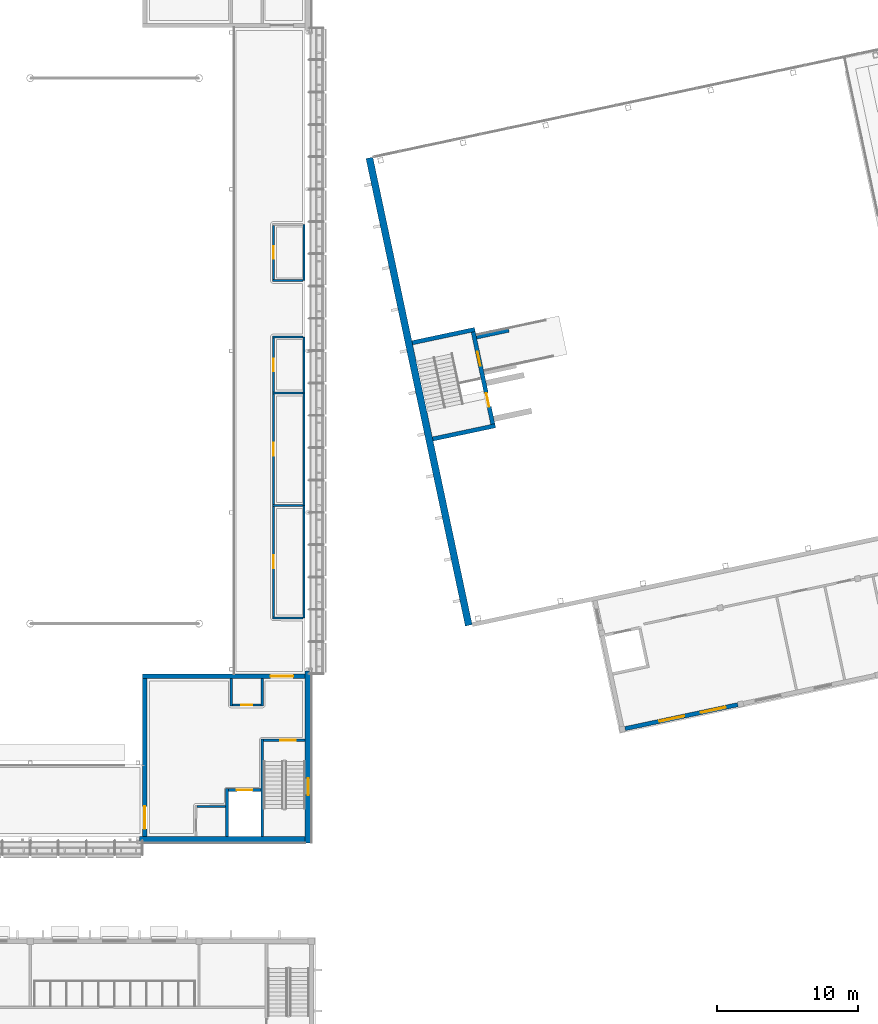
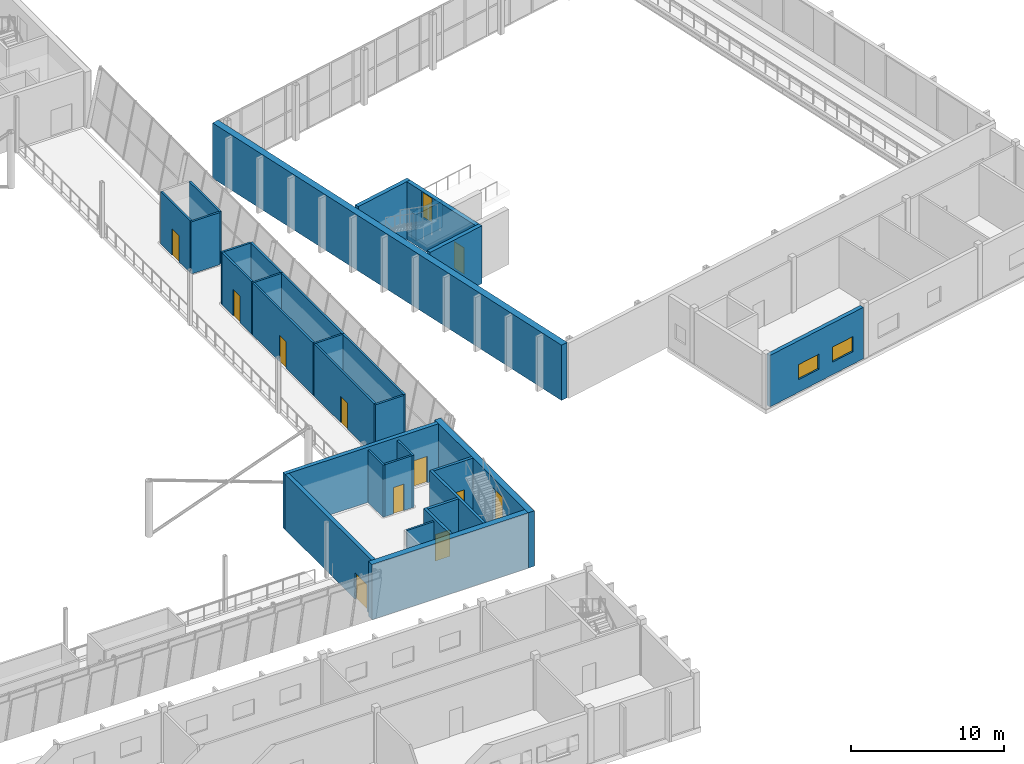
# One storey, part 75 of 115: 31 walls, 11 doors, 3 windows, 14 openings.
"""IFC4 building model written with IfcOpenShell, lengths in metres."""

import ifcopenshell
import ifcopenshell.guid

model = None  # the IFC model being written
_history = None  # IfcOwnerHistory: only IFC2X3 demands one
_inside = {}  # id of a spatial element -> (the spatial element, [elements in it])
_under = {}  # id of a project, library or spatial element -> (it, [spatial elements below it])
_declared = {}  # id of a project -> (the project, [libraries it declares])
_typed = {}  # id of a type object -> (the type object, [elements of that type])
_made_of = {}  # id of a material, layer set ... -> (it, [elements and type objects made of it])


def new_model(schema):
    """Start an empty IFC model of exactly this schema.

    Asked for "IFC4X3", IfcOpenShell would pick the latest addendum, in which some entities
    have other attributes; the version numbers below select the first issue.
    IFC2X3 requires an IfcOwnerHistory on every rooted entity: one is made here for all.
    """
    global model, _history
    if schema == "IFC4X3":
        model = ifcopenshell.file(schema_version=(4, 3, 0, 0))
    else:
        model = ifcopenshell.file(schema=schema)
    _inside.clear()
    _under.clear()
    _declared.clear()
    _typed.clear()
    _made_of.clear()
    _history = None
    if model.schema == "IFC2X3":
        org = make("IfcOrganization", Name="unknown")
        user = make(
            "IfcPersonAndOrganization",
            ThePerson=make("IfcPerson", FamilyName="unknown"),
            TheOrganization=org,
        )
        app = make(
            "IfcApplication",
            ApplicationDeveloper=org,
            Version="unknown",
            ApplicationFullName="unknown",
            ApplicationIdentifier="unknown",
        )
        _history = make(
            "IfcOwnerHistory",
            OwningUser=user,
            OwningApplication=app,
            ChangeAction="ADDED",
            CreationDate=0,
        )
    return model


def make(cls, **values):
    """One entity of the class cls with the attributes given. An attribute that is None is left unset."""
    return model.create_entity(
        cls, **{name: value for name, value in values.items() if value is not None}
    )


def rooted(cls, **values):
    """An entity with a GlobalId (a new one), such as an element, a storey or a relation."""
    return make(cls, GlobalId=ifcopenshell.guid.new(), OwnerHistory=_history, **values)


def si_unit(unit_type, name, prefix=None):
    """IfcSIUnit, for example si_unit("LENGTHUNIT", "METRE", prefix="MILLI")."""
    return make("IfcSIUnit", UnitType=unit_type, Prefix=prefix, Name=name)


def assignment(units):
    """IfcUnitAssignment: the units of a project."""
    return None if units is None else make("IfcUnitAssignment", Units=units)


def point(xyz):
    """IfcCartesianPoint."""
    return None if xyz is None else make("IfcCartesianPoint", Coordinates=xyz)


def direction(xyz):
    """IfcDirection."""
    return None if xyz is None else make("IfcDirection", DirectionRatios=xyz)


def frame(location, z_axis=None, x_axis=None):
    """IfcAxis2Placement3D, a coordinate frame: its origin and axes. An axis left out is left unset."""
    return make(
        "IfcAxis2Placement3D",
        Location=point(location),
        Axis=direction(z_axis),
        RefDirection=direction(x_axis),
    )


def frame_2d(location, x_axis=None):
    """IfcAxis2Placement2D, a coordinate frame in the plane: its origin and x axis."""
    return make(
        "IfcAxis2Placement2D", Location=point(location), RefDirection=direction(x_axis)
    )


def origin():
    """The frame at (0, 0, 0) with its axes left unset."""
    return frame((0.0, 0.0, 0.0))


def place(relative_to, where):
    """IfcLocalPlacement: puts the frame where relative to a parent placement (None: the world)."""
    return make(
        "IfcLocalPlacement", PlacementRelTo=relative_to, RelativePlacement=where
    )


def context(
    kind, dimensions, precision=None, world=None, true_north=None, identifier=None
):
    """IfcGeometricRepresentationContext, for example the 3D "Model" context."""
    return make(
        "IfcGeometricRepresentationContext",
        ContextIdentifier=identifier,
        ContextType=kind,
        CoordinateSpaceDimension=dimensions,
        Precision=precision,
        WorldCoordinateSystem=world,
        TrueNorth=true_north,
    )


def subcontext(parent, identifier, kind, view, scale=None):
    """IfcGeometricRepresentationSubContext, for example "Body" below "Model"."""
    return make(
        "IfcGeometricRepresentationSubContext",
        ContextIdentifier=identifier,
        ContextType=kind,
        ParentContext=parent,
        TargetScale=scale,
        TargetView=view,
    )


def project(units=None, contexts=None):
    """IfcProject with its units and contexts."""
    return rooted(
        "IfcProject",
        Name="project",
        RepresentationContexts=contexts,
        UnitsInContext=assignment(units),
    )


def spatial(cls, under=None, at=None, **own):
    """A site, building, storey or space (cls), placed at a placement, below another one or the project."""
    s = rooted(cls, ObjectPlacement=at, **own)
    if under is not None:
        _under.setdefault(under.id(), (under, []))[1].append(s)
    return s


def profile(cls, at=None, kind="AREA", **sizes):
    """A parametric profile (cls). Its sizes go by their IFC names, for example OverallWidth=200.0."""
    return make(cls, ProfileType=kind, Position=at, **sizes)


def rectangle(**sizes):
    """IfcRectangleProfileDef."""
    return profile("IfcRectangleProfileDef", **sizes)


def extrude(swept, where, along, depth):
    """IfcExtrudedAreaSolid: the profile swept, set in the frame where, extruded along a direction by depth."""
    return make(
        "IfcExtrudedAreaSolid",
        SweptArea=swept,
        Position=where,
        ExtrudedDirection=direction(along),
        Depth=depth,
    )


def shape(context_of_items, identifier, shape_type, items):
    """IfcShapeRepresentation: the items that make up one representation, for example the "Body"."""
    return make(
        "IfcShapeRepresentation",
        ContextOfItems=context_of_items,
        RepresentationIdentifier=identifier,
        RepresentationType=shape_type,
        Items=items,
    )


def material(Name=None, Category=None):
    """IfcMaterial."""
    return make("IfcMaterial", Name=Name, Category=Category)


def layer(
    of_material, thickness, ventilated=None, Name=None, Category=None, Priority=None
):
    """IfcMaterialLayer: one layer of a wall or slab, of a material (None: an air gap)."""
    return make(
        "IfcMaterialLayer",
        Material=of_material,
        LayerThickness=thickness,
        IsVentilated=ventilated,
        Name=Name,
        Category=Category,
        Priority=Priority,
    )


def layer_set(layers, Name=None):
    """IfcMaterialLayerSet."""
    return make("IfcMaterialLayerSet", MaterialLayers=layers, LayerSetName=Name)


def made_of(thing, what):
    """Note that an element or type object is made of a material, layer set ...; save() writes the relation."""
    if what is not None:
        _made_of.setdefault(what.id(), (what, []))[1].append(thing)
    return thing


def type_object(cls, material=None, **own):
    """A type object (cls), such as IfcWallType, which elements share."""
    return made_of(rooted(cls, **own), material)


def element(
    cls,
    number,
    at=None,
    inside=None,
    cuts=None,
    type_object=None,
    material=None,
    context=None,
    identifier="Body",
    shape_type=None,
    held_by="IfcProductDefinitionShape",
    body=None,
    shapes=None,
    **own,
):
    """One element of the class cls, such as IfcWall. Its Tag is "e" and its number.

    at: its placement. inside: the storey or other place that contains it. cuts: it is an
    opening in that element (IfcRelVoidsElement). A single representation is given by context,
    identifier, shape_type and body (its items); several are given by shapes. held_by: the class
    of the entity that holds the representations. save() writes the other relations.
    """
    e = rooted(cls, Tag="e%d" % number, ObjectPlacement=at, **own)
    if body is not None:
        shapes = [shape(context, identifier, shape_type, body)]
    if shapes is not None:
        e.Representation = make(held_by, Representations=shapes)
    if inside is not None:
        _inside.setdefault(inside.id(), (inside, []))[1].append(e)
    if cuts is not None:
        rooted(
            "IfcRelVoidsElement", RelatingBuildingElement=cuts, RelatedOpeningElement=e
        )
    if type_object is not None:
        _typed.setdefault(type_object.id(), (type_object, []))[1].append(e)
    return made_of(e, material)


def fill(opening, filler):
    """IfcRelFillsElement: the door or window that sits in an opening."""
    return rooted(
        "IfcRelFillsElement",
        RelatingOpeningElement=opening,
        RelatedBuildingElement=filler,
    )


def aggregate(whole, parts):
    """IfcRelAggregates: a whole, such as a stair, and the parts it consists of."""
    return rooted("IfcRelAggregates", RelatingObject=whole, RelatedObjects=parts)


def save(model, path):
    """Write the relations noted so far, then the file.

    IfcRelAggregates (storeys below a building ...), IfcRelContainedInSpatialStructure (elements
    in a storey), IfcRelDefinesByType, IfcRelAssociatesMaterial and IfcRelDeclares: one each for
    every whole, place, type object, material and project.
    """
    for whole, parts in _under.values():
        aggregate(whole, parts)
    for where, things in _inside.values():
        rooted(
            "IfcRelContainedInSpatialStructure",
            RelatedElements=things,
            RelatingStructure=where,
        )
    for kind, things in _typed.values():
        rooted("IfcRelDefinesByType", RelatedObjects=things, RelatingType=kind)
    for what, things in _made_of.values():
        rooted("IfcRelAssociatesMaterial", RelatedObjects=things, RelatingMaterial=what)
    for by, libraries in _declared.values():
        rooted("IfcRelDeclares", RelatingContext=by, RelatedDefinitions=libraries)
    model.write(path)


model = new_model("IFC4")

# Units and contexts
model_context = context("Model", 3, precision=1e-05, world=origin(), true_north=direction((0.0, 1.0)))
body_context = subcontext(model_context, "Body", "Model", "MODEL_VIEW")
ifc_project = project(units=[si_unit("LENGTHUNIT", "METRE"), si_unit("AREAUNIT", "SQUARE_METRE"), si_unit("VOLUMEUNIT", "CUBIC_METRE"), si_unit("PLANEANGLEUNIT", "RADIAN"), si_unit("MASSUNIT", "GRAM", prefix="KILO")], contexts=[model_context])

# Site, building, storey
site_placement = place(None, origin())
site = spatial("IfcSite", under=ifc_project, at=site_placement, CompositionType="ELEMENT")
building_placement = place(site_placement, origin())
building = spatial("IfcBuilding", under=site, at=building_placement, Name="Windward Yard Aquatics Centre", CompositionType="ELEMENT")
storey_placement = place(building_placement, frame((0.0, 0.0, 5.0)))
storey = spatial("IfcBuildingStorey", under=building, at=storey_placement, Name="L01", CompositionType="ELEMENT", Elevation=5.0)

# Wall, openings, windows
ifc_material_1 = material(Name="Concrete C35/45", Category="concrete")
ifc_layer_1 = layer(ifc_material_1, 0.300048828125)
ifc_layer_set_1 = layer_set([ifc_layer_1], Name="D annex external wall 300")
wall_type_1 = type_object("IfcWallType", Name="D annex external wall 300", PredefinedType="ELEMENTEDWALL", material=ifc_layer_set_1)
wall_1_placement = place(storey_placement, frame((174.315185546875, 34.124755859375, 0.0), z_axis=(0.0, 0.0, 1.0), x_axis=(0.978148331689, 0.207908251916, 0.0)))
wall_1 = element("IfcWall", 1, at=wall_1_placement, inside=storey, type_object=wall_type_1, Name="D.W.A.L01.S.1", PredefinedType="ELEMENTEDWALL", context=body_context, shape_type="SweptSolid", body=[
    extrude(rectangle(XDim=8.199951171875, YDim=0.300048828125, at=frame_2d((4.10009765625, 0.0))), origin(), (0.0, 0.0, 1.0), 4.10009765625),
])
opening_1_placement = place(wall_1_placement, frame((2.5, 0.0, 1.0)))
opening_1 = element("IfcOpeningElement", 2, at=opening_1_placement, cuts=wall_1, Name="Opening DW1009", PredefinedType="OPENING", context=body_context, shape_type="SweptSolid", body=[
    extrude(rectangle(XDim=1.800048828125, YDim=1.199951171875, at=frame_2d((0.89990234375, 0.60009765625))), frame((0.0, 0.16015625, 0.0), z_axis=(0.0, -1.0, 0.0), x_axis=(1.0, 0.0, 0.0)), (0.0, 0.0, 1.0), 0.320068359375),
])
opening_2_placement = place(wall_1_placement, frame((5.5, 0.0, 1.0)))
opening_2 = element("IfcOpeningElement", 3, at=opening_2_placement, cuts=wall_1, Name="Opening DW1010", PredefinedType="OPENING", context=body_context, shape_type="SweptSolid", body=[
    extrude(rectangle(XDim=1.800048828125, YDim=1.199951171875, at=frame_2d((0.89990234375, 0.60009765625))), frame((0.0, 0.16015625, 0.0), z_axis=(0.0, -1.0, 0.0), x_axis=(1.0, 0.0, 0.0)), (0.0, 0.0, 1.0), 0.320068359375),
])
ifc_material_2 = material(Name="Aluminium framed double glazing", Category="aluminium")
window_type_1 = type_object("IfcWindowType", Name="D window 1800X1200", PartitioningType="SINGLE_PANEL", PredefinedType="WINDOW", material=ifc_material_2)
window_1_placement = place(opening_1_placement, origin())
window_1 = element("IfcWindow", 4, at=window_1_placement, inside=storey, type_object=window_type_1, Name="Window DW1009", OverallHeight=1.199951171875, OverallWidth=1.800048828125, PartitioningType="SINGLE_PANEL", PredefinedType="WINDOW", context=body_context, shape_type="SweptSolid", body=[
    extrude(rectangle(XDim=1.800048828125, YDim=1.199951171875, at=frame_2d((0.89990234375, 0.60009765625))), frame((0.0, 0.030029296875, 0.0), z_axis=(0.0, -1.0, 0.0), x_axis=(1.0, 0.0, 0.0)), (0.0, 0.0, 1.0), 0.06005859375),
])
fill(opening_1, window_1)
window_2_placement = place(opening_2_placement, origin())
window_2 = element("IfcWindow", 5, at=window_2_placement, inside=storey, type_object=window_type_1, Name="Window DW1010", OverallHeight=1.199951171875, OverallWidth=1.800048828125, PartitioningType="SINGLE_PANEL", PredefinedType="WINDOW", context=body_context, shape_type="SweptSolid", body=[
    extrude(rectangle(XDim=1.800048828125, YDim=1.199951171875, at=frame_2d((0.89990234375, 0.60009765625))), frame((0.0, 0.030029296875, 0.0), z_axis=(0.0, -1.0, 0.0), x_axis=(1.0, 0.0, 0.0)), (0.0, 0.0, 1.0), 0.06005859375),
])
fill(opening_2, window_2)

# Walls
ifc_layer_2 = layer(ifc_material_1, 0.300048828125)
ifc_layer_set_2 = layer_set([ifc_layer_2], Name="D tower core wall 300")
wall_type_2 = type_object("IfcWallType", Name="D tower core wall 300", PredefinedType="SOLIDWALL", material=ifc_layer_set_2)
wall_2_placement = place(storey_placement, frame((160.632080078125, 54.72998046875, 0.0), z_axis=(0.0, 0.0, 1.0), x_axis=(0.978144256617, 0.207927423029, 0.0)))
element("IfcWall", 6, at=wall_2_placement, inside=storey, type_object=wall_type_2, Name="D.W.TC.S.L01", PredefinedType="SOLIDWALL", context=body_context, shape_type="SweptSolid", body=[
    extrude(rectangle(XDim=4.5498046875, YDim=0.300048828125, at=frame_2d((2.27490234375, 0.0))), origin(), (0.0, 0.0, 1.0), 4.60009765625),
])
wall_3_placement = place(storey_placement, frame((159.176513671875, 61.5771484375, 0.0), z_axis=(0.0, 0.0, 1.0), x_axis=(0.978146576304, 0.207916510322, 0.0)))
element("IfcWall", 7, at=wall_3_placement, inside=storey, type_object=wall_type_2, Name="D.W.TC.N.L01", PredefinedType="SOLIDWALL", context=body_context, shape_type="SweptSolid", body=[
    extrude(rectangle(XDim=4.550048828125, YDim=0.300048828125, at=frame_2d((2.27490234375, 0.0))), origin(), (0.0, 0.0, 1.0), 4.60009765625),
])

# Wall, openings, doors
wall_4_placement = place(storey_placement, frame((164.904541015625, 55.791748046875, 0.0), z_axis=(0.0, 0.0, 1.0), x_axis=(-0.207888827103, 0.978152460287, 0.0)))
wall_4 = element("IfcWall", 8, at=wall_4_placement, inside=storey, type_object=wall_type_2, Name="D.W.TC.E.L01", PredefinedType="SOLIDWALL", context=body_context, shape_type="SweptSolid", body=[
    extrude(rectangle(XDim=6.699951171875, YDim=0.300048828125, at=frame_2d((3.35009765625, 0.0))), origin(), (0.0, 0.0, 1.0), 4.60009765625),
])
opening_3_placement = place(wall_4_placement, frame((1.25, 0.0, 0.0)))
opening_3 = element("IfcOpeningElement", 9, at=opening_3_placement, cuts=wall_4, Name="Opening D1003", PredefinedType="OPENING", context=body_context, shape_type="SweptSolid", body=[
    extrude(rectangle(XDim=1.0, YDim=2.10009765625, at=frame_2d((0.5, 1.050048828125))), frame((0.0, 0.16015625, 0.0), z_axis=(0.0, -1.0, 0.0), x_axis=(1.0, 0.0, 0.0)), (0.0, 0.0, 1.0), 0.320068359375),
])
opening_4_placement = place(wall_4_placement, frame((4.25, 0.0, 2.5)))
opening_4 = element("IfcOpeningElement", 10, at=opening_4_placement, cuts=wall_4, Name="Opening D1004", PredefinedType="OPENING", context=body_context, shape_type="SweptSolid", body=[
    extrude(rectangle(XDim=1.0, YDim=2.050048828125, at=frame_2d((0.5, 1.02490234375))), frame((0.0, 0.16015625, 0.0), z_axis=(0.0, -1.0, 0.0), x_axis=(1.0, 0.0, 0.0)), (0.0, 0.0, 1.0), 0.320068359375),
])
ifc_material_3 = material(Name="Steel door leaf in steel frame", Category="steel")
door_type_1 = type_object("IfcDoorType", Name="D steel door 1000X2050 FD60", OperationType="SINGLE_SWING_LEFT", PredefinedType="DOOR", material=ifc_material_3)
door_1_placement = place(opening_4_placement, origin())
door_1 = element("IfcDoor", 11, at=door_1_placement, inside=storey, type_object=door_type_1, Name="Platform door", OperationType="SINGLE_SWING_LEFT", OverallHeight=2.050048828125, OverallWidth=1.0, PredefinedType="DOOR", context=body_context, shape_type="SweptSolid", body=[
    extrude(rectangle(XDim=1.0, YDim=2.050048828125, at=frame_2d((0.5, 1.02490234375))), frame((0.0, 0.02490234375, 0.0), z_axis=(0.0, -1.0, 0.0), x_axis=(1.0, 0.0, 0.0)), (0.0, 0.0, 1.0), 0.050048828125),
])
fill(opening_4, door_1)
door_type_2 = type_object("IfcDoorType", Name="D steel door 1000X2100 FD60", OperationType="SINGLE_SWING_LEFT", PredefinedType="DOOR", material=ifc_material_3)
door_2_placement = place(opening_3_placement, origin())
door_2 = element("IfcDoor", 12, at=door_2_placement, inside=storey, type_object=door_type_2, Name="Platform door", OperationType="SINGLE_SWING_LEFT", OverallHeight=2.10009765625, OverallWidth=1.0, PredefinedType="DOOR", context=body_context, shape_type="SweptSolid", body=[
    extrude(rectangle(XDim=1.0, YDim=2.10009765625, at=frame_2d((0.5, 1.050048828125))), frame((0.0, 0.02490234375, 0.0), z_axis=(0.0, -1.0, 0.0), x_axis=(1.0, 0.0, 0.0)), (0.0, 0.0, 1.0), 0.050048828125),
])
fill(opening_3, door_2)

# Walls
ifc_layer_3 = layer(ifc_material_1, 0.5)
ifc_layer_set_3 = layer_set([ifc_layer_3], Name="D tower end wall 500")
wall_type_3 = type_object("IfcWallType", Name="D tower end wall 500", PredefinedType="SOLIDWALL", material=ifc_layer_set_3)
wall_5_placement = place(storey_placement, frame((163.194091796875, 41.47314453125, 0.0), z_axis=(0.0, 0.0, 1.0), x_axis=(-0.20790710573, 0.978148575313, 0.0)))
element("IfcWall", 13, at=wall_5_placement, inside=storey, type_object=wall_type_3, Name="D.W.W.L01", PredefinedType="SOLIDWALL", context=body_context, shape_type="SweptSolid", body=[
    extrude(rectangle(XDim=34.0, YDim=0.5, at=frame_2d((17.0, 0.0))), origin(), (0.0, 0.0, 1.0), 4.39990234375),
])
ifc_layer_4 = layer(ifc_material_1, 0.39990234375)
ifc_layer_set_4 = layer_set([ifc_layer_4], Name="D tower platform support wall 400")
wall_type_4 = type_object("IfcWallType", Name="D tower platform support wall 400", PredefinedType="SOLIDWALL", material=ifc_layer_set_4)
wall_6_placement = place(storey_placement, frame((163.731201171875, 62.0341796875, 0.0), z_axis=(0.0, 0.0, 1.0), x_axis=(0.978152249362, 0.20788981954, 0.0)))
element("IfcWall", 14, at=wall_6_placement, inside=storey, type_object=wall_type_4, Name="D.W.PWNo.2", PredefinedType="SOLIDWALL", context=body_context, shape_type="SweptSolid", body=[
    extrude(rectangle(XDim=2.349853515625, YDim=0.39990234375, at=frame_2d((1.1748046875, 0.0))), origin(), (0.0, 0.0, 1.0), 2.10009765625),
])
ifc_layer_5 = layer(ifc_material_1, 0.199951171875)
ifc_layer_set_5 = layer_set([ifc_layer_5], Name="H Enclosure Wall Concrete C35/45 200")
wall_type_5 = type_object("IfcWallType", Name="H Enclosure Wall Concrete C35/45 200", PredefinedType="SOLIDWALL", material=ifc_layer_set_5)
wall_7_placement = place(storey_placement, frame((148.5, 26.449951171875, 0.0), z_axis=(0.0, 0.0, 1.0), x_axis=(0.0, 1.0, 0.0)))
element("IfcWall", 15, at=wall_7_placement, inside=storey, type_object=wall_type_5, Name="L01 W1 enclosure wall SE", PredefinedType="SOLIDWALL", context=body_context, shape_type="SweptSolid", body=[
    extrude(rectangle(XDim=6.949951171875, YDim=0.199951171875, at=frame_2d((3.47509765625, 0.0))), origin(), (0.0, 0.0, 1.0), 4.39990234375),
])

# Wall, opening, door
wall_8_placement = place(storey_placement, frame((151.550048828125, 33.300048828125, 0.0), z_axis=(0.0, 0.0, 1.0), x_axis=(-1.0, 0.0, 0.0)))
wall_8 = element("IfcWall", 16, at=wall_8_placement, inside=storey, type_object=wall_type_5, Name="L01 W2 enclosure wall SE", PredefinedType="SOLIDWALL", context=body_context, shape_type="SweptSolid", body=[
    extrude(rectangle(XDim=2.949951171875, YDim=0.199951171875, at=frame_2d((1.47509765625, 0.0))), origin(), (0.0, 0.0, 1.0), 4.39990234375),
])
opening_5_placement = place(wall_8_placement, frame((0.64990234375, 0.0, 0.0)))
opening_5 = element("IfcOpeningElement", 17, at=opening_5_placement, cuts=wall_8, Name="Opening H1007", PredefinedType="OPENING", context=body_context, shape_type="SweptSolid", body=[
    extrude(rectangle(XDim=1.10009765625, YDim=2.10009765625, at=frame_2d((0.550048828125, 1.050048828125))), frame((0.0, 0.10986328125, 0.0), z_axis=(0.0, -1.0, 0.0), x_axis=(1.0, 0.0, 0.0)), (0.0, 0.0, 1.0), 0.219970703125),
])
ifc_material_4 = material(Name="Steel and timber door leaf", Category="steel")
door_type_3 = type_object("IfcDoorType", Name="H Door Single 1100 x 2100 FD60", OperationType="NOTDEFINED", PredefinedType="DOOR", material=ifc_material_4)
door_3_placement = place(opening_5_placement, origin())
door_3 = element("IfcDoor", 18, at=door_3_placement, inside=storey, type_object=door_type_3, Name="L01 stair SE door", OperationType="SINGLE_SWING_LEFT", OverallHeight=2.10009765625, OverallWidth=1.10009765625, PredefinedType="DOOR", context=body_context, shape_type="SweptSolid", body=[
    extrude(rectangle(XDim=1.10009765625, YDim=2.10009765625, at=frame_2d((0.550048828125, 1.050048828125))), frame((0.0, 0.02490234375, 0.0), z_axis=(0.0, -1.0, 0.0), x_axis=(1.0, 0.0, 0.0)), (0.0, 0.0, 1.0), 0.050048828125),
])
fill(opening_5, door_3)

# Wall
wall_9_placement = place(storey_placement, frame((146.0, 26.449951171875, 0.0), z_axis=(0.0, 0.0, 1.0), x_axis=(0.0, 1.0, 0.0)))
element("IfcWall", 19, at=wall_9_placement, inside=storey, type_object=wall_type_5, Name="L01 W3 enclosure wall SE", PredefinedType="SOLIDWALL", context=body_context, shape_type="SweptSolid", body=[
    extrude(rectangle(XDim=3.400146484375, YDim=0.199951171875, at=frame_2d((1.7001953125, 0.0))), origin(), (0.0, 0.0, 1.0), 4.39990234375),
])

# Wall, opening, door
wall_10_placement = place(storey_placement, frame((148.39990234375, 29.75, 0.0), z_axis=(0.0, 0.0, 1.0), x_axis=(-1.0, 0.0, 0.0)))
wall_10 = element("IfcWall", 20, at=wall_10_placement, inside=storey, type_object=wall_type_5, Name="L01 W4 enclosure wall SE", PredefinedType="SOLIDWALL", context=body_context, shape_type="SweptSolid", body=[
    extrude(rectangle(XDim=2.2998046875, YDim=0.199951171875, at=frame_2d((1.14990234375, 0.0))), origin(), (0.0, 0.0, 1.0), 4.39990234375),
])
opening_6_placement = place(wall_10_placement, frame((0.60009765625, 0.0, 0.0)))
opening_6 = element("IfcOpeningElement", 21, at=opening_6_placement, cuts=wall_10, Name="Opening H1008", PredefinedType="OPENING", context=body_context, shape_type="SweptSolid", body=[
    extrude(rectangle(XDim=1.10009765625, YDim=2.10009765625, at=frame_2d((0.550048828125, 1.050048828125))), frame((0.0, 0.10986328125, 0.0), z_axis=(0.0, -1.0, 0.0), x_axis=(1.0, 0.0, 0.0)), (0.0, 0.0, 1.0), 0.219970703125),
])
ifc_material_5 = material(Name="Stainless steel 1.4301", Category="steel")
door_type_4 = type_object("IfcDoorType", Name="H Lift Landing Door 1100 x 2100", OperationType="DOUBLE_DOOR_SLIDING", PredefinedType="DOOR", material=ifc_material_5)
door_4_placement = place(opening_6_placement, origin())
door_4 = element("IfcDoor", 22, at=door_4_placement, inside=storey, type_object=door_type_4, Name="Lift SE landing door L01", OperationType="DOUBLE_DOOR_SLIDING", OverallHeight=2.10009765625, OverallWidth=1.10009765625, PredefinedType="DOOR", context=body_context, shape_type="SweptSolid", body=[
    extrude(rectangle(XDim=1.10009765625, YDim=2.10009765625, at=frame_2d((0.550048828125, 1.050048828125))), frame((0.0, 0.02490234375, 0.0), z_axis=(0.0, -1.0, 0.0), x_axis=(1.0, 0.0, 0.0)), (0.0, 0.0, 1.0), 0.050048828125),
])
fill(opening_6, door_4)

# Wall
ifc_material_6 = material(Name="Blockwork 150 mm", Category="masonry")
ifc_layer_6 = layer(ifc_material_6, 0.14990234375)
ifc_layer_set_6 = layer_set([ifc_layer_6], Name="H Partition Blockwork 150")
wall_type_6 = type_object("IfcWallType", Name="H Partition Blockwork 150", PredefinedType="PARTITIONING", material=ifc_layer_set_6)
wall_11_placement = place(storey_placement, frame((145.89990234375, 28.60009765625, 0.0), z_axis=(0.0, 0.0, 1.0), x_axis=(-1.0, 0.0, 0.0)))
element("IfcWall", 23, at=wall_11_placement, inside=storey, type_object=wall_type_6, Name="L01 R1N riser wall SE", PredefinedType="PARTITIONING", context=body_context, shape_type="SweptSolid", body=[
    extrude(rectangle(XDim=2.02490234375, YDim=0.14990234375, at=frame_2d((1.012451171875, 0.0))), origin(), (0.0, 0.0, 1.0), 4.14990234375),
])

# Wall, opening, door
wall_12_placement = place(storey_placement, frame((148.425048828125, 35.800048828125, 0.0), z_axis=(0.0, 0.0, 1.0), x_axis=(-1.0, 0.0, 0.0)))
wall_12 = element("IfcWall", 24, at=wall_12_placement, inside=storey, type_object=wall_type_6, Name="L01 R2S riser wall SE", PredefinedType="PARTITIONING", context=body_context, shape_type="SweptSolid", body=[
    extrude(rectangle(XDim=2.050048828125, YDim=0.14990234375, at=frame_2d((1.02490234375, 0.0))), origin(), (0.0, 0.0, 1.0), 4.14990234375),
])
opening_7_placement = place(wall_12_placement, frame((0.625, 0.0, 0.0)))
opening_7 = element("IfcOpeningElement", 25, at=opening_7_placement, cuts=wall_12, Name="Opening H1010", PredefinedType="OPENING", context=body_context, shape_type="SweptSolid", body=[
    extrude(rectangle(XDim=0.800048828125, YDim=2.10009765625, at=frame_2d((0.39990234375, 1.050048828125))), frame((0.0, 0.0849609375, 0.0), z_axis=(0.0, -1.0, 0.0), x_axis=(1.0, 0.0, 0.0)), (0.0, 0.0, 1.0), 0.169921875),
])
door_type_5 = type_object("IfcDoorType", Name="H Door Riser 800 x 2100 FD60", OperationType="NOTDEFINED", PredefinedType="DOOR", material=ifc_material_4)
door_5_placement = place(opening_7_placement, origin())
door_5 = element("IfcDoor", 26, at=door_5_placement, inside=storey, type_object=door_type_5, Name="L01 communications riser SE door", OperationType="SINGLE_SWING_LEFT", OverallHeight=2.10009765625, OverallWidth=0.800048828125, PredefinedType="DOOR", context=body_context, shape_type="SweptSolid", body=[
    extrude(rectangle(XDim=0.800048828125, YDim=2.10009765625, at=frame_2d((0.39990234375, 1.050048828125))), frame((0.0, 0.02490234375, 0.0), z_axis=(0.0, -1.0, 0.0), x_axis=(1.0, 0.0, 0.0)), (0.0, 0.0, 1.0), 0.050048828125),
])
fill(opening_7, door_5)

# Walls
for number, where, z_axis, x_axis, name in (
    (27, (148.5, 35.72509765625, 0.0), (0.0, 0.0, 1.0), (0.0, 1.0, 0.0), "L01 R2W riser wall SE"),
    (28, (146.300048828125, 35.72509765625, 0.0), (0.0, 0.0, 1.0), (0.0, 1.0, 0.0), "L01 R2E riser wall SE"),
):
    element("IfcWall", number, at=place(storey_placement, frame(where, z_axis=z_axis, x_axis=x_axis)), inside=storey, type_object=wall_type_6, Name=name, PredefinedType="PARTITIONING", context=body_context, shape_type="SweptSolid", body=[
        extrude(rectangle(XDim=1.974853515625, YDim=0.14990234375, at=frame_2d((0.9873046875, 0.0))), origin(), (0.0, 0.0, 1.0), 4.14990234375),
    ])

# Wall, opening, door
wall_13_placement = place(storey_placement, frame((149.300048828125, 42.074951171875, 0.0), z_axis=(0.0, 0.0, 1.0), x_axis=(0.0, 1.0, 0.0)))
wall_13 = element("IfcWall", 29, at=wall_13_placement, inside=storey, type_object=wall_type_6, Name="L01 partition Spectator WC Men", PredefinedType="PARTITIONING", context=body_context, shape_type="SweptSolid", body=[
    extrude(rectangle(XDim=7.85009765625, YDim=0.14990234375, at=frame_2d((3.925048828125, 0.0))), origin(), (0.0, 0.0, 1.0), 4.14990234375),
])
opening_8_placement = place(wall_13_placement, frame((3.47509765625, 0.0, 0.0)))
opening_8 = element("IfcOpeningElement", 30, at=opening_8_placement, cuts=wall_13, Name="Opening H1040", PredefinedType="OPENING", context=body_context, shape_type="SweptSolid", body=[
    extrude(rectangle(XDim=0.89990234375, YDim=2.10009765625, at=frame_2d((0.449951171875, 1.050048828125))), frame((0.0, 0.0849609375, 0.0), z_axis=(0.0, -1.0, 0.0), x_axis=(1.0, 0.0, 0.0)), (0.0, 0.0, 1.0), 0.169921875),
])
ifc_material_7 = material(Name="Timber door leaf", Category="wood")
door_type_6 = type_object("IfcDoorType", Name="H Door Single 900 x 2100 Not rated", OperationType="NOTDEFINED", PredefinedType="DOOR", material=ifc_material_7)
door_6_placement = place(opening_8_placement, origin())
door_6 = element("IfcDoor", 31, at=door_6_placement, inside=storey, type_object=door_type_6, Name="L01 Spectator WC Men door", OperationType="SINGLE_SWING_RIGHT", OverallHeight=2.10009765625, OverallWidth=0.89990234375, PredefinedType="DOOR", context=body_context, shape_type="SweptSolid", body=[
    extrude(rectangle(XDim=0.89990234375, YDim=2.10009765625, at=frame_2d((0.449951171875, 1.050048828125))), frame((0.0, 0.02490234375, 0.0), z_axis=(0.0, -1.0, 0.0), x_axis=(1.0, 0.0, 0.0)), (0.0, 0.0, 1.0), 0.050048828125),
])
fill(opening_8, door_6)

# Walls
for number, where, z_axis, x_axis, name in (
    (32, (151.39990234375, 42.0, 0.0), (0.0, 0.0, 1.0), (-1.0, 0.0, 0.0), "L01 partition Spectator WC Men"),
    (33, (151.39990234375, 50.0, 0.0), (0.0, 0.0, 1.0), (-1.0, 0.0, 0.0), "L01 partition Spectator WC Men"),
):
    element("IfcWall", number, at=place(storey_placement, frame(where, z_axis=z_axis, x_axis=x_axis)), inside=storey, type_object=wall_type_6, Name=name, PredefinedType="PARTITIONING", context=body_context, shape_type="SweptSolid", body=[
        extrude(rectangle(XDim=2.1748046875, YDim=0.14990234375, at=frame_2d((1.08740234375, 0.0))), origin(), (0.0, 0.0, 1.0), 4.14990234375),
    ])
wall_14_placement = place(storey_placement, frame((151.47509765625, 42.0, 0.0), z_axis=(0.0, 0.0, 1.0), x_axis=(0.0, 1.0, 0.0)))
element("IfcWall", 34, at=wall_14_placement, inside=storey, type_object=wall_type_6, Name="L01 wall Spectator WC Men", PredefinedType="PARTITIONING", context=body_context, shape_type="SweptSolid", body=[
    extrude(rectangle(XDim=8.0, YDim=0.14990234375, at=frame_2d((4.0, 0.0))), origin(), (0.0, 0.0, 1.0), 4.14990234375),
])

# Wall, opening, door
wall_15_placement = place(storey_placement, frame((149.300048828125, 50.074951171875, 0.0), z_axis=(0.0, 0.0, 1.0), x_axis=(0.0, 1.0, 0.0)))
wall_15 = element("IfcWall", 35, at=wall_15_placement, inside=storey, type_object=wall_type_6, Name="L01 partition Spectator WC Women", PredefinedType="PARTITIONING", context=body_context, shape_type="SweptSolid", body=[
    extrude(rectangle(XDim=7.85009765625, YDim=0.14990234375, at=frame_2d((3.925048828125, 0.0))), origin(), (0.0, 0.0, 1.0), 4.14990234375),
])
opening_9_placement = place(wall_15_placement, frame((3.47509765625, 0.0, 0.0)))
opening_9 = element("IfcOpeningElement", 36, at=opening_9_placement, cuts=wall_15, Name="Opening H1041", PredefinedType="OPENING", context=body_context, shape_type="SweptSolid", body=[
    extrude(rectangle(XDim=0.89990234375, YDim=2.10009765625, at=frame_2d((0.449951171875, 1.050048828125))), frame((0.0, 0.0849609375, 0.0), z_axis=(0.0, -1.0, 0.0), x_axis=(1.0, 0.0, 0.0)), (0.0, 0.0, 1.0), 0.169921875),
])
door_7_placement = place(opening_9_placement, origin())
door_7 = element("IfcDoor", 37, at=door_7_placement, inside=storey, type_object=door_type_6, Name="L01 Spectator WC Women door", OperationType="SINGLE_SWING_LEFT", OverallHeight=2.10009765625, OverallWidth=0.89990234375, PredefinedType="DOOR", context=body_context, shape_type="SweptSolid", body=[
    extrude(rectangle(XDim=0.89990234375, YDim=2.10009765625, at=frame_2d((0.449951171875, 1.050048828125))), frame((0.0, 0.02490234375, 0.0), z_axis=(0.0, -1.0, 0.0), x_axis=(1.0, 0.0, 0.0)), (0.0, 0.0, 1.0), 0.050048828125),
])
fill(opening_9, door_7)

# Walls
wall_16_placement = place(storey_placement, frame((151.39990234375, 58.0, 0.0), z_axis=(0.0, 0.0, 1.0), x_axis=(-1.0, 0.0, 0.0)))
element("IfcWall", 38, at=wall_16_placement, inside=storey, type_object=wall_type_6, Name="L01 partition Spectator WC Women", PredefinedType="PARTITIONING", context=body_context, shape_type="SweptSolid", body=[
    extrude(rectangle(XDim=2.1748046875, YDim=0.14990234375, at=frame_2d((1.08740234375, 0.0))), origin(), (0.0, 0.0, 1.0), 4.14990234375),
])
wall_17_placement = place(storey_placement, frame((151.47509765625, 50.0, 0.0), z_axis=(0.0, 0.0, 1.0), x_axis=(0.0, 1.0, 0.0)))
element("IfcWall", 39, at=wall_17_placement, inside=storey, type_object=wall_type_6, Name="L01 wall Spectator WC Women", PredefinedType="PARTITIONING", context=body_context, shape_type="SweptSolid", body=[
    extrude(rectangle(XDim=8.0, YDim=0.14990234375, at=frame_2d((4.0, 0.0))), origin(), (0.0, 0.0, 1.0), 4.14990234375),
])

# Wall, opening, door
wall_18_placement = place(storey_placement, frame((149.300048828125, 58.074951171875, 0.0), z_axis=(0.0, 0.0, 1.0), x_axis=(0.0, 1.0, 0.0)))
wall_18 = element("IfcWall", 40, at=wall_18_placement, inside=storey, type_object=wall_type_6, Name="L01 partition Accessible WC", PredefinedType="PARTITIONING", context=body_context, shape_type="SweptSolid", body=[
    extrude(rectangle(XDim=3.85009765625, YDim=0.14990234375, at=frame_2d((1.925048828125, 0.0))), origin(), (0.0, 0.0, 1.0), 4.14990234375),
])
opening_10_placement = place(wall_18_placement, frame((1.47509765625, 0.0, 0.0)))
opening_10 = element("IfcOpeningElement", 41, at=opening_10_placement, cuts=wall_18, Name="Opening H1042", PredefinedType="OPENING", context=body_context, shape_type="SweptSolid", body=[
    extrude(rectangle(XDim=0.89990234375, YDim=2.10009765625, at=frame_2d((0.449951171875, 1.050048828125))), frame((0.0, 0.0849609375, 0.0), z_axis=(0.0, -1.0, 0.0), x_axis=(1.0, 0.0, 0.0)), (0.0, 0.0, 1.0), 0.169921875),
])
door_8_placement = place(opening_10_placement, origin())
door_8 = element("IfcDoor", 42, at=door_8_placement, inside=storey, type_object=door_type_6, Name="L01 Accessible WC door", OperationType="SINGLE_SWING_RIGHT", OverallHeight=2.10009765625, OverallWidth=0.89990234375, PredefinedType="DOOR", context=body_context, shape_type="SweptSolid", body=[
    extrude(rectangle(XDim=0.89990234375, YDim=2.10009765625, at=frame_2d((0.449951171875, 1.050048828125))), frame((0.0, 0.02490234375, 0.0), z_axis=(0.0, -1.0, 0.0), x_axis=(1.0, 0.0, 0.0)), (0.0, 0.0, 1.0), 0.050048828125),
])
fill(opening_10, door_8)

# Walls
wall_19_placement = place(storey_placement, frame((151.39990234375, 62.0, 0.0), z_axis=(0.0, 0.0, 1.0), x_axis=(-1.0, 0.0, 0.0)))
element("IfcWall", 43, at=wall_19_placement, inside=storey, type_object=wall_type_6, Name="L01 partition Accessible WC", PredefinedType="PARTITIONING", context=body_context, shape_type="SweptSolid", body=[
    extrude(rectangle(XDim=2.1748046875, YDim=0.14990234375, at=frame_2d((1.08740234375, 0.0))), origin(), (0.0, 0.0, 1.0), 4.14990234375),
])
wall_20_placement = place(storey_placement, frame((151.47509765625, 58.0, 0.0), z_axis=(0.0, 0.0, 1.0), x_axis=(0.0, 1.0, 0.0)))
element("IfcWall", 44, at=wall_20_placement, inside=storey, type_object=wall_type_6, Name="L01 wall Accessible WC", PredefinedType="PARTITIONING", context=body_context, shape_type="SweptSolid", body=[
    extrude(rectangle(XDim=4.0, YDim=0.14990234375, at=frame_2d((2.0, 0.0))), origin(), (0.0, 0.0, 1.0), 4.14990234375),
])

# Wall, opening, door
wall_21_placement = place(storey_placement, frame((149.300048828125, 66.074951171875, 0.0), z_axis=(0.0, 0.0, 1.0), x_axis=(0.0, 1.0, 0.0)))
wall_21 = element("IfcWall", 45, at=wall_21_placement, inside=storey, type_object=wall_type_6, Name="L01 partition Cleaner's Store", PredefinedType="PARTITIONING", context=body_context, shape_type="SweptSolid", body=[
    extrude(rectangle(XDim=3.85009765625, YDim=0.14990234375, at=frame_2d((1.925048828125, 0.0))), origin(), (0.0, 0.0, 1.0), 4.14990234375),
])
opening_11_placement = place(wall_21_placement, frame((1.47509765625, 0.0, 0.0)))
opening_11 = element("IfcOpeningElement", 46, at=opening_11_placement, cuts=wall_21, Name="Opening H1043", PredefinedType="OPENING", context=body_context, shape_type="SweptSolid", body=[
    extrude(rectangle(XDim=0.89990234375, YDim=2.10009765625, at=frame_2d((0.449951171875, 1.050048828125))), frame((0.0, 0.0849609375, 0.0), z_axis=(0.0, -1.0, 0.0), x_axis=(1.0, 0.0, 0.0)), (0.0, 0.0, 1.0), 0.169921875),
])
door_9_placement = place(opening_11_placement, origin())
door_9 = element("IfcDoor", 47, at=door_9_placement, inside=storey, type_object=door_type_6, Name="L01 Cleaner's Store door", OperationType="SINGLE_SWING_LEFT", OverallHeight=2.10009765625, OverallWidth=0.89990234375, PredefinedType="DOOR", context=body_context, shape_type="SweptSolid", body=[
    extrude(rectangle(XDim=0.89990234375, YDim=2.10009765625, at=frame_2d((0.449951171875, 1.050048828125))), frame((0.0, 0.02490234375, 0.0), z_axis=(0.0, -1.0, 0.0), x_axis=(1.0, 0.0, 0.0)), (0.0, 0.0, 1.0), 0.050048828125),
])
fill(opening_11, door_9)

# Walls
wall_22_placement = place(storey_placement, frame((151.39990234375, 66.0, 0.0), z_axis=(0.0, 0.0, 1.0), x_axis=(-1.0, 0.0, 0.0)))
element("IfcWall", 48, at=wall_22_placement, inside=storey, type_object=wall_type_6, Name="L01 partition Cleaner's Store", PredefinedType="PARTITIONING", context=body_context, shape_type="SweptSolid", body=[
    extrude(rectangle(XDim=2.1748046875, YDim=0.14990234375, at=frame_2d((1.08740234375, 0.0))), origin(), (0.0, 0.0, 1.0), 4.14990234375),
])
wall_23_placement = place(storey_placement, frame((151.47509765625, 66.0, 0.0), z_axis=(0.0, 0.0, 1.0), x_axis=(0.0, 1.0, 0.0)))
element("IfcWall", 49, at=wall_23_placement, inside=storey, type_object=wall_type_6, Name="L01 wall Cleaner's Store", PredefinedType="PARTITIONING", context=body_context, shape_type="SweptSolid", body=[
    extrude(rectangle(XDim=4.0, YDim=0.14990234375, at=frame_2d((2.0, 0.0))), origin(), (0.0, 0.0, 1.0), 4.14990234375),
])

# Wall, opening, window
ifc_material_8 = material(Name="Natural stone cladding", Category="masonry")
ifc_layer_7 = layer(ifc_material_8, 0.04, Name="Cladding")
ifc_material_9 = material(Name="Ventilated air cavity")
ifc_layer_8 = layer(ifc_material_9, 0.05, ventilated=True, Name="Ventilated cavity")
ifc_material_10 = material(Name="Mineral wool insulation")
ifc_layer_9 = layer(ifc_material_10, 0.08, Name="Insulation")
ifc_layer_10 = layer(ifc_material_1, 0.28, Name="Structure")
ifc_layer_set_7 = layer_set([ifc_layer_7, ifc_layer_8, ifc_layer_9, ifc_layer_10], Name="H plinth wall stone faced 450 C35/45")
wall_type_7 = type_object("IfcWallType", Name="H plinth wall stone faced 450 C35/45", PredefinedType="ELEMENTEDWALL", material=ifc_layer_set_7)
wall_24_placement = place(storey_placement, frame((151.77490234375, 26.0, 0.0), z_axis=(0.0, 0.0, 1.0), x_axis=(0.0, 1.0, 0.0)))
wall_24 = element("IfcWall", 50, at=wall_24_placement, inside=storey, type_object=wall_type_7, Name="H.CW.SE.E.L01", PredefinedType="ELEMENTEDWALL", context=body_context, shape_type="SweptSolid", body=[
    extrude(rectangle(XDim=12.214111328125, YDim=0.449951171875, at=frame_2d((6.10693359375, 0.0))), origin(), (0.0, 0.0, 1.0), 4.39990234375),
])
opening_12_placement = place(wall_24_placement, frame((3.39990234375, 0.0, 0.60009765625)))
opening_12 = element("IfcOpeningElement", 51, at=opening_12_placement, cuts=wall_24, Name="Opening W1079", PredefinedType="OPENING", context=body_context, shape_type="SweptSolid", body=[
    extrude(rectangle(XDim=1.199951171875, YDim=3.0, at=frame_2d((0.60009765625, 1.5))), frame((0.0, 0.23486328125, 0.0), z_axis=(0.0, -1.0, 0.0), x_axis=(1.0, 0.0, 0.0)), (0.0, 0.0, 1.0), 0.469970703125),
])
ifc_material_11 = material(Name="Fire-resisting glazing in steel frame", Category="steel")
window_type_2 = type_object("IfcWindowType", Name="H Core Stair Window 1200 x 3000 EI 60", PartitioningType="SINGLE_PANEL", PredefinedType="WINDOW", material=ifc_material_11)
window_3_placement = place(opening_12_placement, origin())
window_3 = element("IfcWindow", 52, at=window_3_placement, inside=storey, type_object=window_type_2, Name="L01 core SE stair window", OverallHeight=3.0, OverallWidth=1.199951171875, PartitioningType="SINGLE_PANEL", PredefinedType="WINDOW", context=body_context, shape_type="SweptSolid", body=[
    extrude(rectangle(XDim=1.199951171875, YDim=3.0, at=frame_2d((0.60009765625, 1.5))), frame((0.0, 0.030029296875, 0.0), z_axis=(0.0, -1.0, 0.0), x_axis=(1.0, 0.0, 0.0)), (0.0, 0.0, 1.0), 0.06005859375),
])
fill(opening_12, window_3)

# Wall
wall_25_placement = place(storey_placement, frame((151.550048828125, 26.22509765625, 0.0), z_axis=(0.0, 0.0, 1.0), x_axis=(-1.0, 0.0, 0.0)))
element("IfcWall", 53, at=wall_25_placement, inside=storey, type_object=wall_type_7, Name="H.CW.SE.S.L01", PredefinedType="ELEMENTEDWALL", context=body_context, shape_type="SweptSolid", body=[
    extrude(rectangle(XDim=11.76416015625, YDim=0.449951171875, at=frame_2d((5.882080078125, 0.0))), origin(), (0.0, 0.0, 1.0), 4.39990234375),
])

# Wall, opening, door
ifc_layer_11 = layer(ifc_material_1, 0.300048828125)
ifc_layer_set_8 = layer_set([ifc_layer_11], Name="H rear wall 300 C35/45")
wall_type_8 = type_object("IfcWallType", Name="H rear wall 300 C35/45", PredefinedType="SOLIDWALL", material=ifc_layer_set_8)
wall_26_placement = place(storey_placement, frame((140.14990234375, 26.449951171875, 0.0), z_axis=(0.0, 0.0, 1.0), x_axis=(0.0, 1.0, 0.0)))
wall_26 = element("IfcWall", 54, at=wall_26_placement, inside=storey, type_object=wall_type_8, Name="H.CW.SE.W.L01", PredefinedType="SOLIDWALL", context=body_context, shape_type="SweptSolid", body=[
    extrude(rectangle(XDim=11.25, YDim=0.300048828125, at=frame_2d((5.625, 0.0))), origin(), (0.0, 0.0, 1.0), 4.39990234375),
])
opening_13_placement = place(wall_26_placement, frame((0.550048828125, 0.0, 0.0)))
opening_13 = element("IfcOpeningElement", 55, at=opening_13_placement, cuts=wall_26, Name="Opening H1011", PredefinedType="OPENING", context=body_context, shape_type="SweptSolid", body=[
    extrude(rectangle(XDim=1.60009765625, YDim=2.10009765625, at=frame_2d((0.800048828125, 1.050048828125))), frame((0.0, 0.16015625, 0.0), z_axis=(0.0, -1.0, 0.0), x_axis=(1.0, 0.0, 0.0)), (0.0, 0.0, 1.0), 0.320068359375),
])
door_type_7 = type_object("IfcDoorType", Name="H Door Double 1600 x 2100 FD60", OperationType="DOUBLE_DOOR_SINGLE_SWING", PredefinedType="DOOR", material=ifc_material_4)
door_10_placement = place(opening_13_placement, origin())
door_10 = element("IfcDoor", 56, at=door_10_placement, inside=storey, type_object=door_type_7, Name="L01 core SE door to strip", OperationType="DOUBLE_DOOR_SINGLE_SWING", OverallHeight=2.10009765625, OverallWidth=1.60009765625, PredefinedType="DOOR", context=body_context, shape_type="SweptSolid", body=[
    extrude(rectangle(XDim=1.60009765625, YDim=2.10009765625, at=frame_2d((0.800048828125, 1.050048828125))), frame((0.0, 0.02490234375, 0.0), z_axis=(0.0, -1.0, 0.0), x_axis=(1.0, 0.0, 0.0)), (0.0, 0.0, 1.0), 0.050048828125),
])
fill(opening_13, door_10)

wall_27_placement = place(storey_placement, frame((151.550048828125, 37.85009765625, 0.0), z_axis=(0.0, 0.0, 1.0), x_axis=(-1.0, 0.0, 0.0)))
wall_27 = element("IfcWall", 57, at=wall_27_placement, inside=storey, type_object=wall_type_8, Name="H.CW.SE.N.L01", PredefinedType="SOLIDWALL", context=body_context, shape_type="SweptSolid", body=[
    extrude(rectangle(XDim=11.550048828125, YDim=0.300048828125, at=frame_2d((5.77490234375, 0.0))), origin(), (0.0, 0.0, 1.0), 4.39990234375),
])
opening_14_placement = place(wall_27_placement, frame((0.85009765625, 0.0, 0.0)))
opening_14 = element("IfcOpeningElement", 58, at=opening_14_placement, cuts=wall_27, Name="Opening H1012", PredefinedType="OPENING", context=body_context, shape_type="SweptSolid", body=[
    extrude(rectangle(XDim=1.60009765625, YDim=2.10009765625, at=frame_2d((0.800048828125, 1.050048828125))), frame((0.0, 0.16015625, 0.0), z_axis=(0.0, -1.0, 0.0), x_axis=(1.0, 0.0, 0.0)), (0.0, 0.0, 1.0), 0.320068359375),
])
door_11_placement = place(opening_14_placement, origin())
door_11 = element("IfcDoor", 59, at=door_11_placement, inside=storey, type_object=door_type_7, Name="L01 core SE door to gable", OperationType="DOUBLE_DOOR_SINGLE_SWING", OverallHeight=2.10009765625, OverallWidth=1.60009765625, PredefinedType="DOOR", context=body_context, shape_type="SweptSolid", body=[
    extrude(rectangle(XDim=1.60009765625, YDim=2.10009765625, at=frame_2d((0.800048828125, 1.050048828125))), frame((0.0, 0.02490234375, 0.0), z_axis=(0.0, -1.0, 0.0), x_axis=(1.0, 0.0, 0.0)), (0.0, 0.0, 1.0), 0.050048828125),
])
fill(opening_14, door_11)

save(model, "model.ifc")
